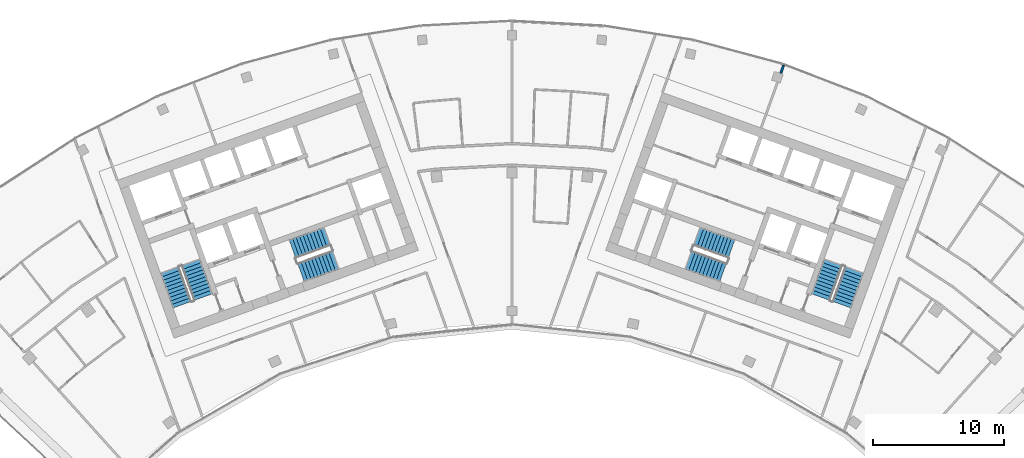
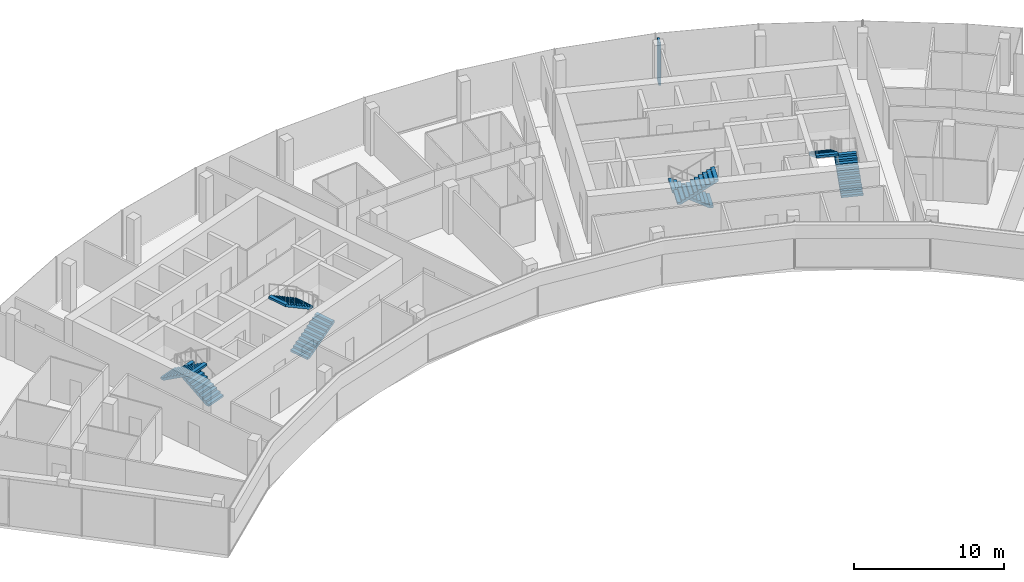
# One storey, part 17 of 18: 8 stair flights, 1 wall, 4 elements without a shape of their own.
"""IFC4 building model written with IfcOpenShell, lengths in metres."""

from ifc_helpers import new_model, si_unit, direction, frame, frame_2d, origin, place, context, subcontext, project, spatial, polyline, rectangle, outline, extrude, material, layer, layer_set, type_object, element, aggregate, save


model = new_model("IFC4")

# Units and contexts
model_context = context("Model", 3, precision=1e-05, world=origin(), true_north=direction((0.0, 1.0)))
body_context = subcontext(model_context, "Body", "Model", "MODEL_VIEW")
ifc_project = project(units=[si_unit("LENGTHUNIT", "METRE"), si_unit("AREAUNIT", "SQUARE_METRE"), si_unit("VOLUMEUNIT", "CUBIC_METRE"), si_unit("PLANEANGLEUNIT", "RADIAN"), si_unit("MASSUNIT", "GRAM", prefix="KILO")], contexts=[model_context])

# Site, building, storey
site_placement = place(None, origin())
site = spatial("IfcSite", under=ifc_project, at=site_placement, CompositionType="ELEMENT")
building_placement = place(site_placement, origin())
building = spatial("IfcBuilding", under=site, at=building_placement, Name="Stone Belt Terrace Tower", CompositionType="ELEMENT")
storey_placement = place(building_placement, frame((0.0, 0.0, 273.199951171875)))
storey = spatial("IfcBuildingStorey", under=building, at=storey_placement, Name="L66", CompositionType="ELEMENT", Elevation=273.199951171875)

# Wall
ifc_material_1 = material(Name="Gypsum board partition")
ifc_layer = layer(ifc_material_1, 0.14990234375)
ifc_layer_set = layer_set([ifc_layer], Name="PARTITION 150 EI 60")
wall_type = type_object("IfcWallType", Name="PARTITION 150 EI 60", PredefinedType="PARTITIONING", material=ifc_layer_set)
wall_placement = place(storey_placement, frame((20.716796875, 63.18115234375, 0.0), z_axis=(0.0, 0.0, 1.0), x_axis=(-0.33862220563, -0.940922420742, 0.0)))
element("IfcWall", 1, at=wall_placement, inside=storey, type_object=wall_type, Name="L66/wall/i035", PredefinedType="PARTITIONING", context=body_context, shape_type="SweptSolid", body=[
    extrude(rectangle(XDim=0.622314453125, YDim=0.14990234375, at=frame_2d((0.31103515625, 0.0))), origin(), (0.0, 0.0, 1.0), 3.47998046875),
])

# Stair, stair flights
ifc_material_2 = material(Name="Concrete B40", Category="concrete")
stair_type = type_object("IfcStairType", Name="Exit stair 1500", PredefinedType="HALF_TURN_STAIR", material=ifc_material_2)
stair_1_placement = place(storey_placement, origin())
stair_1 = element("IfcStair", 2, at=stair_1_placement, inside=storey, type_object=stair_type, Name="L66 Exit stair 1 core A", PredefinedType="HALF_TURN_STAIR")
stair_flight_type = type_object("IfcStairFlightType", Name="Stair flight 1500", PredefinedType="STRAIGHT", material=ifc_material_2)
stair_flight_1_placement = place(storey_placement, frame((-23.55322265625, 45.51318359375, 0.0), z_axis=(0.0, 0.0, 1.0), x_axis=(-0.338624396177, 0.940921632398, 0.0)))
stair_flight_1 = element("IfcStairFlight", 3, at=stair_flight_1_placement, type_object=stair_flight_type, Name="ST1A flight 1", NumberOfRisers=11, NumberOfTreads=10, PredefinedType="STRAIGHT", RiserHeight=0.172727273, TreadLength=0.28, context=body_context, shape_type="SweptSolid", body=[
    extrude(outline(polyline([(0.0, 0.0), (0.0, 0.172607421875), (0.280029296875, 0.172607421875), (0.280029296875, 0.345458984375), (0.56005859375, 0.345458984375), (0.56005859375, 0.51806640625), (0.840087890625, 0.51806640625), (0.840087890625, 0.69091796875), (1.1201171875, 0.69091796875), (1.1201171875, 0.863525390625), (1.39990234375, 0.863525390625), (1.39990234375, 1.036376953125), (1.679931640625, 1.036376953125), (1.679931640625, 1.208984375), (1.9599609375, 1.208984375), (1.9599609375, 1.3818359375), (2.239990234375, 1.3818359375), (2.239990234375, 1.554443359375), (2.52001953125, 1.554443359375), (2.52001953125, 1.727294921875), (2.800048828125, 1.727294921875), (2.800048828125, 1.89990234375), (2.800048828125, 1.551025390625), (0.285400390625, 0.0), (0.0, 0.0)])), frame((0.0, 0.75, 0.0), z_axis=(0.0, -1.0, 0.0), x_axis=(1.0, 0.0, 0.0)), (0.0, 0.0, 1.0), 1.5),
])
stair_flight_2_placement = place(storey_placement, frame((-26.10107421875, 47.572021484375, 1.900146484375), z_axis=(0.0, 0.0, 1.0), x_axis=(0.338624396177, -0.940921632398, 0.0)))
stair_flight_2 = element("IfcStairFlight", 4, at=stair_flight_2_placement, type_object=stair_flight_type, Name="ST1A flight 2", NumberOfRisers=11, NumberOfTreads=10, PredefinedType="STRAIGHT", RiserHeight=0.172727273, TreadLength=0.28, context=body_context, shape_type="SweptSolid", body=[
    extrude(outline(polyline([(0.0, 0.0), (0.0, 0.172607421875), (0.280029296875, 0.172607421875), (0.280029296875, 0.345458984375), (0.56005859375, 0.345458984375), (0.56005859375, 0.51806640625), (0.840087890625, 0.51806640625), (0.840087890625, 0.69091796875), (1.1201171875, 0.69091796875), (1.1201171875, 0.863525390625), (1.39990234375, 0.863525390625), (1.39990234375, 1.036376953125), (1.679931640625, 1.036376953125), (1.679931640625, 1.208984375), (1.9599609375, 1.208984375), (1.9599609375, 1.3818359375), (2.239990234375, 1.3818359375), (2.239990234375, 1.554443359375), (2.52001953125, 1.554443359375), (2.52001953125, 1.727294921875), (2.800048828125, 1.727294921875), (2.800048828125, 1.89990234375), (2.800048828125, 1.551025390625), (0.285400390625, 0.0), (0.0, 0.0)])), frame((0.0, 0.75, 0.0), z_axis=(0.0, -1.0, 0.0), x_axis=(1.0, 0.0, 0.0)), (0.0, 0.0, 1.0), 1.5),
])
aggregate(stair_1, [stair_flight_1, stair_flight_2])

stair_2_placement = place(storey_placement, origin())
stair_2 = element("IfcStair", 5, at=stair_2_placement, inside=storey, type_object=stair_type, Name="L66 Exit stair 2 core A", PredefinedType="HALF_TURN_STAIR")
stair_flight_3_placement = place(storey_placement, frame((-16.101318359375, 47.39794921875, 0.0), z_axis=(0.0, 0.0, 1.0), x_axis=(0.940921632398, 0.338624396177, 0.0)))
stair_flight_3 = element("IfcStairFlight", 6, at=stair_flight_3_placement, type_object=stair_flight_type, Name="ST2A flight 1", NumberOfRisers=11, NumberOfTreads=10, PredefinedType="STRAIGHT", RiserHeight=0.172727273, TreadLength=0.28, context=body_context, shape_type="SweptSolid", body=[
    extrude(outline(polyline([(0.0, 0.0), (0.0, 0.172607421875), (0.280029296875, 0.172607421875), (0.280029296875, 0.345458984375), (0.56005859375, 0.345458984375), (0.56005859375, 0.51806640625), (0.840087890625, 0.51806640625), (0.840087890625, 0.69091796875), (1.1201171875, 0.69091796875), (1.1201171875, 0.863525390625), (1.39990234375, 0.863525390625), (1.39990234375, 1.036376953125), (1.679931640625, 1.036376953125), (1.679931640625, 1.208984375), (1.9599609375, 1.208984375), (1.9599609375, 1.3818359375), (2.239990234375, 1.3818359375), (2.239990234375, 1.554443359375), (2.52001953125, 1.554443359375), (2.52001953125, 1.727294921875), (2.800048828125, 1.727294921875), (2.800048828125, 1.89990234375), (2.800048828125, 1.551025390625), (0.285400390625, 0.0), (0.0, 0.0)])), frame((0.0, 0.75, 0.0), z_axis=(0.0, -1.0, 0.0), x_axis=(1.0, 0.0, 0.0)), (0.0, 0.0, 1.0), 1.5),
])
stair_flight_4_placement = place(storey_placement, frame((-14.110107421875, 50.1337890625, 1.900146484375), z_axis=(0.0, 0.0, 1.0), x_axis=(-0.940921632398, -0.338624396177, 0.0)))
stair_flight_4 = element("IfcStairFlight", 7, at=stair_flight_4_placement, type_object=stair_flight_type, Name="ST2A flight 2", NumberOfRisers=11, NumberOfTreads=10, PredefinedType="STRAIGHT", RiserHeight=0.172727273, TreadLength=0.28, context=body_context, shape_type="SweptSolid", body=[
    extrude(outline(polyline([(0.0, 0.0), (0.0, 0.172607421875), (0.280029296875, 0.172607421875), (0.280029296875, 0.345458984375), (0.56005859375, 0.345458984375), (0.56005859375, 0.51806640625), (0.840087890625, 0.51806640625), (0.840087890625, 0.69091796875), (1.1201171875, 0.69091796875), (1.1201171875, 0.863525390625), (1.39990234375, 0.863525390625), (1.39990234375, 1.036376953125), (1.679931640625, 1.036376953125), (1.679931640625, 1.208984375), (1.9599609375, 1.208984375), (1.9599609375, 1.3818359375), (2.239990234375, 1.3818359375), (2.239990234375, 1.554443359375), (2.52001953125, 1.554443359375), (2.52001953125, 1.727294921875), (2.800048828125, 1.727294921875), (2.800048828125, 1.89990234375), (2.800048828125, 1.551025390625), (0.285400390625, 0.0), (0.0, 0.0)])), frame((0.0, 0.75, 0.0), z_axis=(0.0, -1.0, 0.0), x_axis=(1.0, 0.0, 0.0)), (0.0, 0.0, 1.0), 1.5),
])
aggregate(stair_2, [stair_flight_3, stair_flight_4])

stair_3_placement = place(storey_placement, origin())
stair_3 = element("IfcStair", 8, at=stair_3_placement, inside=storey, type_object=stair_type, Name="L66 Exit stair 1 core B", PredefinedType="HALF_TURN_STAIR")
stair_flight_5_placement = place(storey_placement, frame((25.15283203125, 44.9375, 0.0), z_axis=(0.0, 0.0, 1.0), x_axis=(0.338624396177, 0.940921632398, 0.0)))
stair_flight_5 = element("IfcStairFlight", 9, at=stair_flight_5_placement, type_object=stair_flight_type, Name="ST1B flight 1", NumberOfRisers=11, NumberOfTreads=10, PredefinedType="STRAIGHT", RiserHeight=0.172727273, TreadLength=0.28, context=body_context, shape_type="SweptSolid", body=[
    extrude(outline(polyline([(0.0, 0.0), (0.0, 0.172607421875), (0.280029296875, 0.172607421875), (0.280029296875, 0.345458984375), (0.56005859375, 0.345458984375), (0.56005859375, 0.51806640625), (0.840087890625, 0.51806640625), (0.840087890625, 0.69091796875), (1.1201171875, 0.69091796875), (1.1201171875, 0.863525390625), (1.39990234375, 0.863525390625), (1.39990234375, 1.036376953125), (1.679931640625, 1.036376953125), (1.679931640625, 1.208984375), (1.9599609375, 1.208984375), (1.9599609375, 1.3818359375), (2.239990234375, 1.3818359375), (2.239990234375, 1.554443359375), (2.52001953125, 1.554443359375), (2.52001953125, 1.727294921875), (2.800048828125, 1.727294921875), (2.800048828125, 1.89990234375), (2.800048828125, 1.551025390625), (0.285400390625, 0.0), (0.0, 0.0)])), frame((0.0, 0.75, 0.0), z_axis=(0.0, -1.0, 0.0), x_axis=(1.0, 0.0, 0.0)), (0.0, 0.0, 1.0), 1.5),
])
stair_flight_6_placement = place(storey_placement, frame((24.50146484375, 48.147705078125, 1.900146484375), z_axis=(0.0, 0.0, 1.0), x_axis=(-0.338624396177, -0.940921632398, 0.0)))
stair_flight_6 = element("IfcStairFlight", 10, at=stair_flight_6_placement, type_object=stair_flight_type, Name="ST1B flight 2", NumberOfRisers=11, NumberOfTreads=10, PredefinedType="STRAIGHT", RiserHeight=0.172727273, TreadLength=0.28, context=body_context, shape_type="SweptSolid", body=[
    extrude(outline(polyline([(0.0, 0.0), (0.0, 0.172607421875), (0.280029296875, 0.172607421875), (0.280029296875, 0.345458984375), (0.56005859375, 0.345458984375), (0.56005859375, 0.51806640625), (0.840087890625, 0.51806640625), (0.840087890625, 0.69091796875), (1.1201171875, 0.69091796875), (1.1201171875, 0.863525390625), (1.39990234375, 0.863525390625), (1.39990234375, 1.036376953125), (1.679931640625, 1.036376953125), (1.679931640625, 1.208984375), (1.9599609375, 1.208984375), (1.9599609375, 1.3818359375), (2.239990234375, 1.3818359375), (2.239990234375, 1.554443359375), (2.52001953125, 1.554443359375), (2.52001953125, 1.727294921875), (2.800048828125, 1.727294921875), (2.800048828125, 1.89990234375), (2.800048828125, 1.551025390625), (0.285400390625, 0.0), (0.0, 0.0)])), frame((0.0, 0.75, 0.0), z_axis=(0.0, -1.0, 0.0), x_axis=(1.0, 0.0, 0.0)), (0.0, 0.0, 1.0), 1.5),
])
aggregate(stair_3, [stair_flight_5, stair_flight_6])

stair_4_placement = place(storey_placement, origin())
stair_4 = element("IfcStair", 11, at=stair_4_placement, inside=storey, type_object=stair_type, Name="L66 Exit stair 2 core B", PredefinedType="HALF_TURN_STAIR")
stair_flight_7_placement = place(storey_placement, frame((16.74462890625, 49.185546875, 0.0), z_axis=(0.0, 0.0, 1.0), x_axis=(-0.940921632398, 0.338624396177, 0.0)))
stair_flight_7 = element("IfcStairFlight", 12, at=stair_flight_7_placement, type_object=stair_flight_type, Name="ST2B flight 1", NumberOfRisers=11, NumberOfTreads=10, PredefinedType="STRAIGHT", RiserHeight=0.172727273, TreadLength=0.28, context=body_context, shape_type="SweptSolid", body=[
    extrude(outline(polyline([(0.0, 0.0), (0.0, 0.172607421875), (0.280029296875, 0.172607421875), (0.280029296875, 0.345458984375), (0.56005859375, 0.345458984375), (0.56005859375, 0.51806640625), (0.840087890625, 0.51806640625), (0.840087890625, 0.69091796875), (1.1201171875, 0.69091796875), (1.1201171875, 0.863525390625), (1.39990234375, 0.863525390625), (1.39990234375, 1.036376953125), (1.679931640625, 1.036376953125), (1.679931640625, 1.208984375), (1.9599609375, 1.208984375), (1.9599609375, 1.3818359375), (2.239990234375, 1.3818359375), (2.239990234375, 1.554443359375), (2.52001953125, 1.554443359375), (2.52001953125, 1.727294921875), (2.800048828125, 1.727294921875), (2.800048828125, 1.89990234375), (2.800048828125, 1.551025390625), (0.285400390625, 0.0), (0.0, 0.0)])), frame((0.0, 0.75, 0.0), z_axis=(0.0, -1.0, 0.0), x_axis=(1.0, 0.0, 0.0)), (0.0, 0.0, 1.0), 1.5),
])
stair_flight_8_placement = place(storey_placement, frame((13.466796875, 48.345947265625, 1.900146484375), z_axis=(0.0, 0.0, 1.0), x_axis=(0.940921632398, -0.338624396177, 0.0)))
stair_flight_8 = element("IfcStairFlight", 13, at=stair_flight_8_placement, type_object=stair_flight_type, Name="ST2B flight 2", NumberOfRisers=11, NumberOfTreads=10, PredefinedType="STRAIGHT", RiserHeight=0.172727273, TreadLength=0.28, context=body_context, shape_type="SweptSolid", body=[
    extrude(outline(polyline([(0.0, 0.0), (0.0, 0.172607421875), (0.280029296875, 0.172607421875), (0.280029296875, 0.345458984375), (0.56005859375, 0.345458984375), (0.56005859375, 0.51806640625), (0.840087890625, 0.51806640625), (0.840087890625, 0.69091796875), (1.1201171875, 0.69091796875), (1.1201171875, 0.863525390625), (1.39990234375, 0.863525390625), (1.39990234375, 1.036376953125), (1.679931640625, 1.036376953125), (1.679931640625, 1.208984375), (1.9599609375, 1.208984375), (1.9599609375, 1.3818359375), (2.239990234375, 1.3818359375), (2.239990234375, 1.554443359375), (2.52001953125, 1.554443359375), (2.52001953125, 1.727294921875), (2.800048828125, 1.727294921875), (2.800048828125, 1.89990234375), (2.800048828125, 1.551025390625), (0.285400390625, 0.0), (0.0, 0.0)])), frame((0.0, 0.75, 0.0), z_axis=(0.0, -1.0, 0.0), x_axis=(1.0, 0.0, 0.0)), (0.0, 0.0, 1.0), 1.5),
])
aggregate(stair_4, [stair_flight_7, stair_flight_8])

save(model, "model.ifc")
